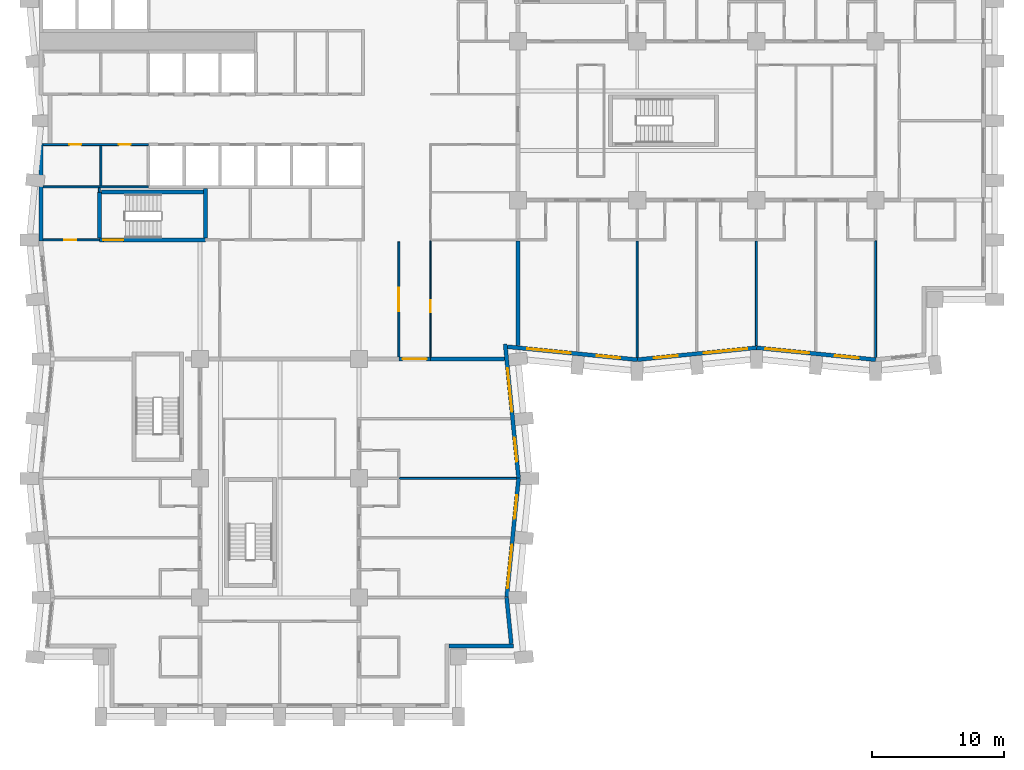
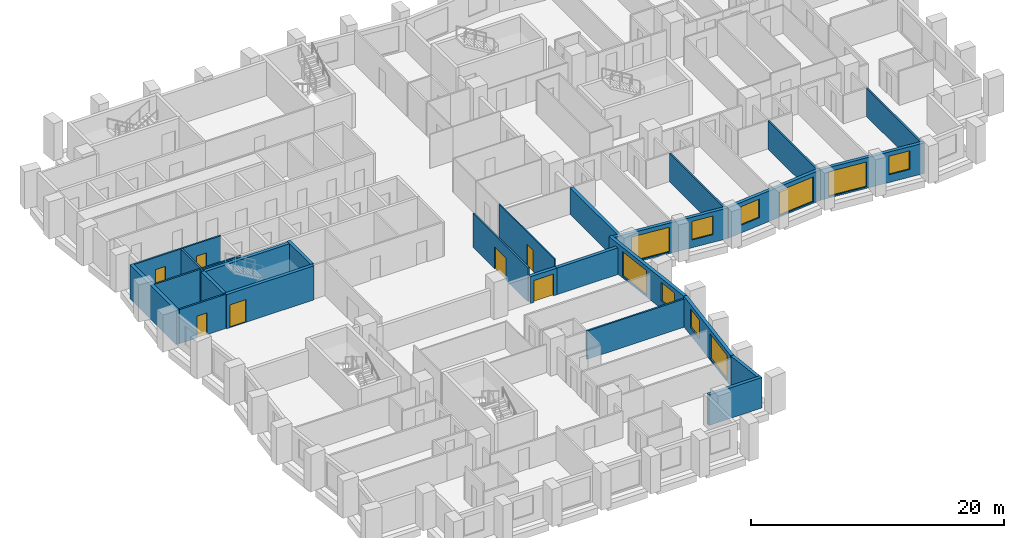
# One storey, part 5 of 13: 26 walls, 10 windows, 7 doors, 17 openings.
"""IFC4 building model written with IfcOpenShell, lengths in metres."""

from ifc_helpers import new_model, si_unit, direction, frame, frame_2d, origin, place, context, subcontext, project, spatial, rectangle, extrude, material, layer, layer_set, type_object, element, fill, save


model = new_model("IFC4")

# Units and contexts
model_context = context("Model", 3, precision=1e-05, world=origin(), true_north=direction((0.0, 1.0)))
body_context = subcontext(model_context, "Body", "Model", "MODEL_VIEW")
ifc_project = project(units=[si_unit("LENGTHUNIT", "METRE"), si_unit("AREAUNIT", "SQUARE_METRE"), si_unit("VOLUMEUNIT", "CUBIC_METRE"), si_unit("PLANEANGLEUNIT", "RADIAN"), si_unit("MASSUNIT", "GRAM", prefix="KILO")], contexts=[model_context])

# Site, building, storey
site_placement = place(None, origin())
site = spatial("IfcSite", under=ifc_project, at=site_placement, CompositionType="ELEMENT")
building_placement = place(site_placement, origin())
building = spatial("IfcBuilding", under=site, at=building_placement, Name="Brondeck Convention Tower", CompositionType="ELEMENT")
storey_placement = place(building_placement, frame((0.0, 0.0, 44.699951171875)))
storey = spatial("IfcBuildingStorey", under=building, at=storey_placement, Name="L08", CompositionType="ELEMENT", Elevation=44.699951171875)

# Wall, opening, door
ifc_material_1 = material(Name="Concrete compartment wall C30/37", Category="concrete")
ifc_layer_1 = layer(ifc_material_1, 0.300048828125)
ifc_layer_set_1 = layer_set([ifc_layer_1], Name="Compartment wall 300")
wall_type_1 = type_object("IfcWallType", Name="Compartment wall 300", PredefinedType="PARTITIONING", material=ifc_layer_set_1)
wall_1_placement = place(storey_placement, frame((29.39990234375, 27.0, 0.0), z_axis=(0.0, 0.0, 1.0), x_axis=(-1.0, 0.0, 0.0)))
wall_1 = element("IfcWall", 1, at=wall_1_placement, inside=storey, type_object=wall_type_1, Name="FLR-L08-W056", PredefinedType="PARTITIONING", context=body_context, shape_type="SweptSolid", body=[
    extrude(rectangle(XDim=2.39990234375, YDim=0.300048828125, at=frame_2d((1.199951171875, 0.0))), origin(), (0.0, 0.0, 1.0), 2.580078125),
])
opening_1_placement = place(wall_1_placement, frame((0.300048828125, 0.0, 0.0)))
opening_1 = element("IfcOpeningElement", 2, at=opening_1_placement, cuts=wall_1, Name="Opening H1-055", PredefinedType="OPENING", context=body_context, shape_type="SweptSolid", body=[
    extrude(rectangle(XDim=1.800048828125, YDim=2.10009765625, at=frame_2d((0.89990234375, 1.050048828125))), frame((0.0, 0.159912109375, 0.0), z_axis=(0.0, -1.0, 0.0), x_axis=(1.0, 0.0, 0.0)), (0.0, 0.0, 1.0), 0.320068359375),
])
ifc_material_2 = material(Name="Steel fire door pair", Category="steel")
door_type_1 = type_object("IfcDoorType", Name="Fire door pair 1800", OperationType="DOUBLE_DOOR_SINGLE_SWING", PredefinedType="DOOR", material=ifc_material_2)
door_1_placement = place(opening_1_placement, origin())
door_1 = element("IfcDoor", 3, at=door_1_placement, inside=storey, type_object=door_type_1, Name="Door H1-055", OperationType="DOUBLE_DOOR_SINGLE_SWING", OverallHeight=2.10009765625, OverallWidth=1.800048828125, PredefinedType="DOOR", context=body_context, shape_type="SweptSolid", body=[
    extrude(rectangle(XDim=1.800048828125, YDim=2.10009765625, at=frame_2d((0.89990234375, 1.050048828125))), frame((0.0, 0.02490234375, 0.0), z_axis=(0.0, -1.0, 0.0), x_axis=(1.0, 0.0, 0.0)), (0.0, 0.0, 1.0), 0.050048828125),
])
fill(opening_1, door_1)

# Walls
wall_2_placement = place(storey_placement, frame((34.97509765625, 27.0, 0.0), z_axis=(0.0, 0.0, 1.0), x_axis=(-1.0, 0.0, 0.0)))
element("IfcWall", 4, at=wall_2_placement, inside=storey, type_object=wall_type_1, Name="FLR-L08-W057", PredefinedType="PARTITIONING", context=body_context, shape_type="SweptSolid", body=[
    extrude(rectangle(XDim=5.5751953125, YDim=0.300048828125, at=frame_2d((2.78759765625, 0.0))), origin(), (0.0, 0.0, 1.0), 2.580078125),
])
wall_3_placement = place(storey_placement, frame((36.0, 35.925048828125, 0.0), z_axis=(0.0, 0.0, 1.0), x_axis=(0.0, -1.0, 0.0)))
element("IfcWall", 5, at=wall_3_placement, inside=storey, type_object=wall_type_1, Name="FLR-L08-W060", PredefinedType="PARTITIONING", context=body_context, shape_type="SweptSolid", body=[
    extrude(rectangle(XDim=7.900146484375, YDim=0.300048828125, at=frame_2d((3.9501953125, 0.0))), origin(), (0.0, 0.0, 1.0), 2.580078125),
])
ifc_material_3 = material(Name="Concrete C80/95", Category="concrete")
ifc_layer_2 = layer(ifc_material_3, 0.300048828125)
ifc_layer_set_2 = layer_set([ifc_layer_2], Name="Core outer wall 300 Concrete C80/95")
wall_type_2 = type_object("IfcWallType", Name="Core outer wall 300 Concrete C80/95", PredefinedType="SHEAR", material=ifc_layer_set_2)
wall_4_placement = place(storey_placement, frame((0.0, 35.925048828125, 0.0), z_axis=(0.0, 0.0, 1.0), x_axis=(0.0, 1.0, 0.0)))
element("IfcWall", 6, at=wall_4_placement, inside=storey, type_object=wall_type_2, Name="L08 core wall", PredefinedType="SHEAR", context=body_context, shape_type="SweptSolid", body=[
    extrude(rectangle(XDim=7.349853515625, YDim=0.300048828125, at=frame_2d((3.6748046875, 0.0))), origin(), (0.0, 0.0, 1.0), 3.300048828125),
])

# Wall, opening, door
ifc_material_4 = material(Name="Fire-rated gypsum board partition")
ifc_layer_3 = layer(ifc_material_4, 0.14990234375)
ifc_layer_set_3 = layer_set([ifc_layer_3], Name="Core partition 150 EI 60")
wall_type_3 = type_object("IfcWallType", Name="Core partition 150 EI 60", PredefinedType="PARTITIONING", material=ifc_layer_set_3)
wall_5_placement = place(storey_placement, frame((0.14990234375, 36.0, 0.0), z_axis=(0.0, 0.0, 1.0), x_axis=(1.0, 0.0, 0.0)))
wall_5 = element("IfcWall", 7, at=wall_5_placement, inside=storey, type_object=wall_type_3, Name="L08 core wall", PredefinedType="PARTITIONING", context=body_context, shape_type="SweptSolid", body=[
    extrude(rectangle(XDim=4.25, YDim=0.14990234375, at=frame_2d((2.125, 0.0))), origin(), (0.0, 0.0, 1.0), 3.300048828125),
])
opening_2_placement = place(wall_5_placement, frame((1.60009765625, 0.0, 0.0)))
opening_2 = element("IfcOpeningElement", 8, at=opening_2_placement, cuts=wall_5, Name="Opening C08-06", PredefinedType="OPENING", context=body_context, shape_type="SweptSolid", body=[
    extrude(rectangle(XDim=0.89990234375, YDim=2.10009765625, at=frame_2d((0.449951171875, 1.050048828125))), frame((0.0, 0.0849609375, 0.0), z_axis=(0.0, -1.0, 0.0), x_axis=(1.0, 0.0, 0.0)), (0.0, 0.0, 1.0), 0.169921875),
])
ifc_material_5 = material(Name="Steel fire door", Category="steel")
door_type_2 = type_object("IfcDoorType", Name="Room door 900x2100 EI 60", OperationType="NOTDEFINED", PredefinedType="DOOR", material=ifc_material_5)
door_2_placement = place(opening_2_placement, origin())
door_2 = element("IfcDoor", 9, at=door_2_placement, inside=storey, type_object=door_type_2, Name="L08 Room door FRW-1", OperationType="SINGLE_SWING_LEFT", OverallHeight=2.10009765625, OverallWidth=0.89990234375, PredefinedType="DOOR", context=body_context, shape_type="SweptSolid", body=[
    extrude(rectangle(XDim=0.89990234375, YDim=2.10009765625, at=frame_2d((0.449951171875, 1.050048828125))), frame((0.0, 0.02490234375, 0.0), z_axis=(0.0, -1.0, 0.0), x_axis=(1.0, 0.0, 0.0)), (0.0, 0.0, 1.0), 0.050048828125),
])
fill(opening_2, door_2)

# Wall
wall_6_placement = place(storey_placement, frame((0.14990234375, 40.0, 0.0), z_axis=(0.0, 0.0, 1.0), x_axis=(1.0, 0.0, 0.0)))
element("IfcWall", 10, at=wall_6_placement, inside=storey, type_object=wall_type_3, Name="L08 core wall", PredefinedType="PARTITIONING", context=body_context, shape_type="SweptSolid", body=[
    extrude(rectangle(XDim=7.9501953125, YDim=0.14990234375, at=frame_2d((3.97509765625, 0.0))), origin(), (0.0, 0.0, 1.0), 3.300048828125),
])

# Wall, openings, doors
wall_7_placement = place(storey_placement, frame((0.14990234375, 43.199951171875, 0.0), z_axis=(0.0, 0.0, 1.0), x_axis=(1.0, 0.0, 0.0)))
wall_7 = element("IfcWall", 11, at=wall_7_placement, inside=storey, type_object=wall_type_3, Name="L08 core wall", PredefinedType="PARTITIONING", context=body_context, shape_type="SweptSolid", body=[
    extrude(rectangle(XDim=7.9501953125, YDim=0.14990234375, at=frame_2d((3.97509765625, 0.0))), origin(), (0.0, 0.0, 1.0), 3.300048828125),
])
opening_3_placement = place(wall_7_placement, frame((1.97509765625, 0.0, 0.0)))
opening_3 = element("IfcOpeningElement", 12, at=opening_3_placement, cuts=wall_7, Name="Opening C08-11", PredefinedType="OPENING", context=body_context, shape_type="SweptSolid", body=[
    extrude(rectangle(XDim=0.89990234375, YDim=2.10009765625, at=frame_2d((0.449951171875, 1.050048828125))), frame((0.0, 0.0849609375, 0.0), z_axis=(0.0, -1.0, 0.0), x_axis=(1.0, 0.0, 0.0)), (0.0, 0.0, 1.0), 0.169921875),
])
opening_4_placement = place(wall_7_placement, frame((5.699951171875, 0.0, 0.0)))
opening_4 = element("IfcOpeningElement", 13, at=opening_4_placement, cuts=wall_7, Name="Opening C08-12", PredefinedType="OPENING", context=body_context, shape_type="SweptSolid", body=[
    extrude(rectangle(XDim=0.89990234375, YDim=2.10009765625, at=frame_2d((0.449951171875, 1.050048828125))), frame((0.0, 0.0849609375, 0.0), z_axis=(0.0, -1.0, 0.0), x_axis=(1.0, 0.0, 0.0)), (0.0, 0.0, 1.0), 0.169921875),
])
door_3_placement = place(opening_3_placement, origin())
door_3 = element("IfcDoor", 14, at=door_3_placement, inside=storey, type_object=door_type_2, Name="L08 Room door FZ-S-0-1", OperationType="SINGLE_SWING_LEFT", OverallHeight=2.10009765625, OverallWidth=0.89990234375, PredefinedType="DOOR", context=body_context, shape_type="SweptSolid", body=[
    extrude(rectangle(XDim=0.89990234375, YDim=2.10009765625, at=frame_2d((0.449951171875, 1.050048828125))), frame((0.0, 0.02490234375, 0.0), z_axis=(0.0, -1.0, 0.0), x_axis=(1.0, 0.0, 0.0)), (0.0, 0.0, 1.0), 0.050048828125),
])
fill(opening_3, door_3)
door_4_placement = place(opening_4_placement, origin())
door_4 = element("IfcDoor", 15, at=door_4_placement, inside=storey, type_object=door_type_2, Name="L08 Room door FZ-S-0-2", OperationType="SINGLE_SWING_RIGHT", OverallHeight=2.10009765625, OverallWidth=0.89990234375, PredefinedType="DOOR", context=body_context, shape_type="SweptSolid", body=[
    extrude(rectangle(XDim=0.89990234375, YDim=2.10009765625, at=frame_2d((0.449951171875, 1.050048828125))), frame((0.0, 0.02490234375, 0.0), z_axis=(0.0, -1.0, 0.0), x_axis=(1.0, 0.0, 0.0)), (0.0, 0.0, 1.0), 0.050048828125),
])
fill(opening_4, door_4)

# Walls
wall_8_placement = place(storey_placement, frame((4.39990234375, 39.60009765625, 0.0), z_axis=(0.0, 0.0, 1.0), x_axis=(0.0, 1.0, 0.0)))
element("IfcWall", 16, at=wall_8_placement, inside=storey, type_object=wall_type_3, Name="L08 core wall", PredefinedType="PARTITIONING", context=body_context, shape_type="SweptSolid", body=[
    extrude(rectangle(XDim=0.324951171875, YDim=0.14990234375, at=frame_2d((0.16259765625, 0.0))), origin(), (0.0, 0.0, 1.0), 3.300048828125),
])
wall_9_placement = place(storey_placement, frame((4.5, 40.074951171875, 0.0), z_axis=(0.0, 0.0, 1.0), x_axis=(0.0, 1.0, 0.0)))
element("IfcWall", 17, at=wall_9_placement, inside=storey, type_object=wall_type_3, Name="L08 core wall", PredefinedType="PARTITIONING", context=body_context, shape_type="SweptSolid", body=[
    extrude(rectangle(XDim=3.050048828125, YDim=0.14990234375, at=frame_2d((1.52490234375, 0.0))), origin(), (0.0, 0.0, 1.0), 3.300048828125),
])
ifc_material_6 = material(Name="Precast concrete C50/60 bronze finish", Category="concrete")
ifc_layer_4 = layer(ifc_material_6, 0.070068359375, Name="Bronze precast facing")
ifc_material_7 = material(Name="Mineral wool")
ifc_layer_5 = layer(ifc_material_7, 0.159912109375, Name="Insulation")
ifc_material_8 = material(Name="Concrete C35/45", Category="concrete")
ifc_layer_6 = layer(ifc_material_8, 0.070068359375, Name="Backing")
ifc_layer_set_4 = layer_set([ifc_layer_4, ifc_layer_5, ifc_layer_6], Name="External infill wall, precast concrete C50/60 bronze facing")
wall_type_4 = type_object("IfcWallType", Name="External infill wall, precast concrete C50/60 bronze facing", PredefinedType="SOLIDWALL", material=ifc_layer_set_4)
wall_10_placement = place(storey_placement, frame((35.676513671875, 5.35009765625, 0.0), z_axis=(0.0, 0.0, 1.0), x_axis=(-1.0, 0.0, 0.0)))
element("IfcWall", 18, at=wall_10_placement, inside=storey, type_object=wall_type_4, Name="ENV-EW-L08-P0-NC-SEB0-02", PredefinedType="SOLIDWALL", context=body_context, shape_type="SweptSolid", body=[
    extrude(rectangle(XDim=4.87646484375, YDim=0.300048828125, at=frame_2d((2.438232421875, 0.0))), origin(), (0.0, 0.0, 1.0), 2.949951171875),
])
wall_11_placement = place(storey_placement, frame((35.144287109375, 9.014892578125, 0.0), z_axis=(0.0, 0.0, 1.0), x_axis=(0.099462600847, -0.995041301169, 0.0)))
element("IfcWall", 19, at=wall_11_placement, inside=storey, type_object=wall_type_4, Name="ENV-EW-L08-P0-B-E-04", PredefinedType="SOLIDWALL", context=body_context, shape_type="SweptSolid", body=[
    extrude(rectangle(XDim=3.52734375, YDim=0.300048828125, at=frame_2d((1.763671875, 0.0))), origin(), (0.0, 0.0, 1.0), 2.949951171875),
])

# Wall, openings, windows
wall_12_placement = place(storey_placement, frame((36.04736328125, 18.014892578125, 0.0), z_axis=(0.0, 0.0, 1.0), x_axis=(-0.099522457379, -0.995035316196, 0.0)))
wall_12 = element("IfcWall", 20, at=wall_12_placement, inside=storey, type_object=wall_type_4, Name="ENV-EW-L08-P0-B-E-03", PredefinedType="SOLIDWALL", context=body_context, shape_type="SweptSolid", body=[
    extrude(rectangle(XDim=9.030029296875, YDim=0.300048828125, at=frame_2d((4.51513671875, 0.0))), origin(), (0.0, 0.0, 1.0), 2.949951171875),
])
opening_5_placement = place(wall_12_placement, frame((1.291259765625, 0.0, 0.75)))
opening_5 = element("IfcOpeningElement", 21, at=opening_5_placement, cuts=wall_12, Name="Opening W10", PredefinedType="OPENING", context=body_context, shape_type="SweptSolid", body=[
    extrude(rectangle(XDim=1.800048828125, YDim=1.800048828125, at=frame_2d((0.89990234375, 0.89990234375))), frame((0.0, 0.159912109375, 0.0), z_axis=(0.0, -1.0, 0.0), x_axis=(1.0, 0.0, 0.0)), (0.0, 0.0, 1.0), 0.320068359375),
])
opening_6_placement = place(wall_12_placement, frame((5.063720703125, 0.0, 0.14990234375)))
opening_6 = element("IfcOpeningElement", 22, at=opening_6_placement, cuts=wall_12, Name="Opening W9", PredefinedType="OPENING", context=body_context, shape_type="SweptSolid", body=[
    extrude(rectangle(XDim=3.300048828125, YDim=2.39990234375, at=frame_2d((1.64990234375, 1.199951171875))), frame((0.0, 0.159912109375, 0.0), z_axis=(0.0, -1.0, 0.0), x_axis=(1.0, 0.0, 0.0)), (0.0, 0.0, 1.0), 0.320068359375),
])
ifc_material_9 = material(Name="Bronze tinted double glazing", Category="glass")
window_type_1 = type_object("IfcWindowType", Name="Glazed flute window, bronze tinted", PartitioningType="SINGLE_PANEL", PredefinedType="WINDOW", material=ifc_material_9)
window_1_placement = place(opening_6_placement, origin())
window_1 = element("IfcWindow", 23, at=window_1_placement, inside=storey, type_object=window_type_1, Name="ENV-WN-L08-P0-B-E-03", OverallHeight=2.39990234375, OverallWidth=3.300048828125, PartitioningType="SINGLE_PANEL", PredefinedType="WINDOW", context=body_context, shape_type="SweptSolid", body=[
    extrude(rectangle(XDim=3.300048828125, YDim=2.39990234375, at=frame_2d((1.64990234375, 1.199951171875))), frame((0.0, 0.030029296875, 0.0), z_axis=(0.0, -1.0, 0.0), x_axis=(1.0, 0.0, 0.0)), (0.0, 0.0, 1.0), 0.06005859375),
])
fill(opening_6, window_1)
window_type_2 = type_object("IfcWindowType", Name="Punched window, bronze tinted", PartitioningType="SINGLE_PANEL", PredefinedType="WINDOW", material=ifc_material_9)
window_2_placement = place(opening_5_placement, origin())
window_2 = element("IfcWindow", 24, at=window_2_placement, inside=storey, type_object=window_type_2, Name="ENV-WN-L08-P0-B-E-02", OverallHeight=1.800048828125, OverallWidth=1.800048828125, PartitioningType="SINGLE_PANEL", PredefinedType="WINDOW", context=body_context, shape_type="SweptSolid", body=[
    extrude(rectangle(XDim=1.800048828125, YDim=1.800048828125, at=frame_2d((0.89990234375, 0.89990234375))), frame((0.0, 0.030029296875, 0.0), z_axis=(0.0, -1.0, 0.0), x_axis=(1.0, 0.0, 0.0)), (0.0, 0.0, 1.0), 0.06005859375),
])
fill(opening_5, window_2)

wall_13_placement = place(storey_placement, frame((35.03271484375, 28.131591796875, 0.0), z_axis=(0.0, 0.0, 1.0), x_axis=(0.099487051997, -0.995038856771, 0.0)))
wall_13 = element("IfcWall", 25, at=wall_13_placement, inside=storey, type_object=wall_type_4, Name="ENV-EW-L08-P0-B-E-01", PredefinedType="SOLIDWALL", context=body_context, shape_type="SweptSolid", body=[
    extrude(rectangle(XDim=10.152099609375, YDim=0.300048828125, at=frame_2d((5.076171875, 0.0))), origin(), (0.0, 0.0, 1.0), 2.949951171875),
])
opening_7_placement = place(wall_13_placement, frame((1.83349609375, 0.0, 0.14990234375)))
opening_7 = element("IfcOpeningElement", 26, at=opening_7_placement, cuts=wall_13, Name="Opening W9", PredefinedType="OPENING", context=body_context, shape_type="SweptSolid", body=[
    extrude(rectangle(XDim=3.300048828125, YDim=2.39990234375, at=frame_2d((1.64990234375, 1.199951171875))), frame((0.0, 0.159912109375, 0.0), z_axis=(0.0, -1.0, 0.0), x_axis=(1.0, 0.0, 0.0)), (0.0, 0.0, 1.0), 0.320068359375),
])
opening_8_placement = place(wall_13_placement, frame((7.10595703125, 0.0, 0.75)))
opening_8 = element("IfcOpeningElement", 27, at=opening_8_placement, cuts=wall_13, Name="Opening W10", PredefinedType="OPENING", context=body_context, shape_type="SweptSolid", body=[
    extrude(rectangle(XDim=1.800048828125, YDim=1.800048828125, at=frame_2d((0.89990234375, 0.89990234375))), frame((0.0, 0.159912109375, 0.0), z_axis=(0.0, -1.0, 0.0), x_axis=(1.0, 0.0, 0.0)), (0.0, 0.0, 1.0), 0.320068359375),
])
window_3_placement = place(opening_7_placement, origin())
window_3 = element("IfcWindow", 28, at=window_3_placement, inside=storey, type_object=window_type_1, Name="ENV-WN-L08-P0-B-E-00", OverallHeight=2.39990234375, OverallWidth=3.300048828125, PartitioningType="SINGLE_PANEL", PredefinedType="WINDOW", context=body_context, shape_type="SweptSolid", body=[
    extrude(rectangle(XDim=3.300048828125, YDim=2.39990234375, at=frame_2d((1.64990234375, 1.199951171875))), frame((0.0, 0.030029296875, 0.0), z_axis=(0.0, -1.0, 0.0), x_axis=(1.0, 0.0, 0.0)), (0.0, 0.0, 1.0), 0.06005859375),
])
fill(opening_7, window_3)
window_4_placement = place(opening_8_placement, origin())
window_4 = element("IfcWindow", 29, at=window_4_placement, inside=storey, type_object=window_type_2, Name="ENV-WN-L08-P0-B-E-01", OverallHeight=1.800048828125, OverallWidth=1.800048828125, PartitioningType="SINGLE_PANEL", PredefinedType="WINDOW", context=body_context, shape_type="SweptSolid", body=[
    extrude(rectangle(XDim=1.800048828125, YDim=1.800048828125, at=frame_2d((0.89990234375, 0.89990234375))), frame((0.0, 0.030029296875, 0.0), z_axis=(0.0, -1.0, 0.0), x_axis=(1.0, 0.0, 0.0)), (0.0, 0.0, 1.0), 0.06005859375),
])
fill(opening_8, window_4)

wall_14_placement = place(storey_placement, frame((45.014892578125, 26.95263671875, 0.0), z_axis=(0.0, 0.0, 1.0), x_axis=(-0.995036699177, 0.099508629231, 0.0)))
wall_14 = element("IfcWall", 30, at=wall_14_placement, inside=storey, type_object=wall_type_4, Name="ENV-EW-L08-P0-A-S-00", PredefinedType="SOLIDWALL", context=body_context, shape_type="SweptSolid", body=[
    extrude(rectangle(XDim=9.845703125, YDim=0.300048828125, at=frame_2d((4.9228515625, 0.0))), origin(), (0.0, 0.0, 1.0), 2.949951171875),
])
opening_9_placement = place(wall_14_placement, frame((1.291259765625, 0.0, 0.75)))
opening_9 = element("IfcOpeningElement", 31, at=opening_9_placement, cuts=wall_14, Name="Opening W10", PredefinedType="OPENING", context=body_context, shape_type="SweptSolid", body=[
    extrude(rectangle(XDim=1.800048828125, YDim=1.800048828125, at=frame_2d((0.89990234375, 0.89990234375))), frame((0.0, 0.159912109375, 0.0), z_axis=(0.0, -1.0, 0.0), x_axis=(1.0, 0.0, 0.0)), (0.0, 0.0, 1.0), 0.320068359375),
])
opening_10_placement = place(wall_14_placement, frame((5.063720703125, 0.0, 0.14990234375)))
opening_10 = element("IfcOpeningElement", 32, at=opening_10_placement, cuts=wall_14, Name="Opening W9", PredefinedType="OPENING", context=body_context, shape_type="SweptSolid", body=[
    extrude(rectangle(XDim=3.300048828125, YDim=2.39990234375, at=frame_2d((1.64990234375, 1.199951171875))), frame((0.0, 0.159912109375, 0.0), z_axis=(0.0, -1.0, 0.0), x_axis=(1.0, 0.0, 0.0)), (0.0, 0.0, 1.0), 0.320068359375),
])
window_5_placement = place(opening_10_placement, origin())
window_5 = element("IfcWindow", 33, at=window_5_placement, inside=storey, type_object=window_type_1, Name="ENV-WN-L08-P0-A-S-00", OverallHeight=2.39990234375, OverallWidth=3.300048828125, PartitioningType="SINGLE_PANEL", PredefinedType="WINDOW", context=body_context, shape_type="SweptSolid", body=[
    extrude(rectangle(XDim=3.300048828125, YDim=2.39990234375, at=frame_2d((1.64990234375, 1.199951171875))), frame((0.0, 0.030029296875, 0.0), z_axis=(0.0, -1.0, 0.0), x_axis=(1.0, 0.0, 0.0)), (0.0, 0.0, 1.0), 0.06005859375),
])
fill(opening_10, window_5)
window_6_placement = place(opening_9_placement, origin())
window_6 = element("IfcWindow", 34, at=window_6_placement, inside=storey, type_object=window_type_2, Name="ENV-WN-L08-P0-A-S-01", OverallHeight=1.800048828125, OverallWidth=1.800048828125, PartitioningType="SINGLE_PANEL", PredefinedType="WINDOW", context=body_context, shape_type="SweptSolid", body=[
    extrude(rectangle(XDim=1.800048828125, YDim=1.800048828125, at=frame_2d((0.89990234375, 0.89990234375))), frame((0.0, 0.030029296875, 0.0), z_axis=(0.0, -1.0, 0.0), x_axis=(1.0, 0.0, 0.0)), (0.0, 0.0, 1.0), 0.06005859375),
])
fill(opening_9, window_6)

wall_15_placement = place(storey_placement, frame((54.014892578125, 27.855712890625, 0.0), z_axis=(0.0, 0.0, 1.0), x_axis=(-0.995037993253, -0.099495688264, 0.0)))
wall_15 = element("IfcWall", 35, at=wall_15_placement, inside=storey, type_object=wall_type_4, Name="ENV-EW-L08-P0-A-S-02", PredefinedType="SOLIDWALL", context=body_context, shape_type="SweptSolid", body=[
    extrude(rectangle(XDim=9.030029296875, YDim=0.300048828125, at=frame_2d((4.51513671875, 0.0))), origin(), (0.0, 0.0, 1.0), 2.949951171875),
])
opening_11_placement = place(wall_15_placement, frame((0.711181640625, 0.0, 0.14990234375)))
opening_11 = element("IfcOpeningElement", 36, at=opening_11_placement, cuts=wall_15, Name="Opening W9", PredefinedType="OPENING", context=body_context, shape_type="SweptSolid", body=[
    extrude(rectangle(XDim=3.300048828125, YDim=2.39990234375, at=frame_2d((1.64990234375, 1.199951171875))), frame((0.0, 0.159912109375, 0.0), z_axis=(0.0, -1.0, 0.0), x_axis=(1.0, 0.0, 0.0)), (0.0, 0.0, 1.0), 0.320068359375),
])
opening_12_placement = place(wall_15_placement, frame((5.983642578125, 0.0, 0.75)))
opening_12 = element("IfcOpeningElement", 37, at=opening_12_placement, cuts=wall_15, Name="Opening W10", PredefinedType="OPENING", context=body_context, shape_type="SweptSolid", body=[
    extrude(rectangle(XDim=1.800048828125, YDim=1.800048828125, at=frame_2d((0.89990234375, 0.89990234375))), frame((0.0, 0.159912109375, 0.0), z_axis=(0.0, -1.0, 0.0), x_axis=(1.0, 0.0, 0.0)), (0.0, 0.0, 1.0), 0.320068359375),
])
window_7_placement = place(opening_11_placement, origin())
window_7 = element("IfcWindow", 38, at=window_7_placement, inside=storey, type_object=window_type_1, Name="ENV-WN-L08-P0-A-S-03", OverallHeight=2.39990234375, OverallWidth=3.300048828125, PartitioningType="SINGLE_PANEL", PredefinedType="WINDOW", context=body_context, shape_type="SweptSolid", body=[
    extrude(rectangle(XDim=3.300048828125, YDim=2.39990234375, at=frame_2d((1.64990234375, 1.199951171875))), frame((0.0, 0.030029296875, 0.0), z_axis=(0.0, -1.0, 0.0), x_axis=(1.0, 0.0, 0.0)), (0.0, 0.0, 1.0), 0.06005859375),
])
fill(opening_11, window_7)
window_8_placement = place(opening_12_placement, origin())
window_8 = element("IfcWindow", 39, at=window_8_placement, inside=storey, type_object=window_type_2, Name="ENV-WN-L08-P0-A-S-02", OverallHeight=1.800048828125, OverallWidth=1.800048828125, PartitioningType="SINGLE_PANEL", PredefinedType="WINDOW", context=body_context, shape_type="SweptSolid", body=[
    extrude(rectangle(XDim=1.800048828125, YDim=1.800048828125, at=frame_2d((0.89990234375, 0.89990234375))), frame((0.0, 0.030029296875, 0.0), z_axis=(0.0, -1.0, 0.0), x_axis=(1.0, 0.0, 0.0)), (0.0, 0.0, 1.0), 0.06005859375),
])
fill(opening_12, window_8)

wall_16_placement = place(storey_placement, frame((63.014892578125, 26.95263671875, 0.0), z_axis=(0.0, 0.0, 1.0), x_axis=(-0.995035316196, 0.099522457379, 0.0)))
wall_16 = element("IfcWall", 40, at=wall_16_placement, inside=storey, type_object=wall_type_4, Name="ENV-EW-L08-P0-A-S-04", PredefinedType="SOLIDWALL", context=body_context, shape_type="SweptSolid", body=[
    extrude(rectangle(XDim=9.030029296875, YDim=0.300048828125, at=frame_2d((4.51513671875, 0.0))), origin(), (0.0, 0.0, 1.0), 2.949951171875),
])
opening_13_placement = place(wall_16_placement, frame((1.291259765625, 0.0, 0.75)))
opening_13 = element("IfcOpeningElement", 41, at=opening_13_placement, cuts=wall_16, Name="Opening W10", PredefinedType="OPENING", context=body_context, shape_type="SweptSolid", body=[
    extrude(rectangle(XDim=1.800048828125, YDim=1.800048828125, at=frame_2d((0.89990234375, 0.89990234375))), frame((0.0, 0.159912109375, 0.0), z_axis=(0.0, -1.0, 0.0), x_axis=(1.0, 0.0, 0.0)), (0.0, 0.0, 1.0), 0.320068359375),
])
opening_14_placement = place(wall_16_placement, frame((5.063720703125, 0.0, 0.14990234375)))
opening_14 = element("IfcOpeningElement", 42, at=opening_14_placement, cuts=wall_16, Name="Opening W9", PredefinedType="OPENING", context=body_context, shape_type="SweptSolid", body=[
    extrude(rectangle(XDim=3.300048828125, YDim=2.39990234375, at=frame_2d((1.64990234375, 1.199951171875))), frame((0.0, 0.159912109375, 0.0), z_axis=(0.0, -1.0, 0.0), x_axis=(1.0, 0.0, 0.0)), (0.0, 0.0, 1.0), 0.320068359375),
])
window_9_placement = place(opening_14_placement, origin())
window_9 = element("IfcWindow", 43, at=window_9_placement, inside=storey, type_object=window_type_1, Name="ENV-WN-L08-P0-A-S-04", OverallHeight=2.39990234375, OverallWidth=3.300048828125, PartitioningType="SINGLE_PANEL", PredefinedType="WINDOW", context=body_context, shape_type="SweptSolid", body=[
    extrude(rectangle(XDim=3.300048828125, YDim=2.39990234375, at=frame_2d((1.64990234375, 1.199951171875))), frame((0.0, 0.030029296875, 0.0), z_axis=(0.0, -1.0, 0.0), x_axis=(1.0, 0.0, 0.0)), (0.0, 0.0, 1.0), 0.06005859375),
])
fill(opening_14, window_9)
window_10_placement = place(opening_13_placement, origin())
window_10 = element("IfcWindow", 44, at=window_10_placement, inside=storey, type_object=window_type_2, Name="ENV-WN-L08-P0-A-S-05", OverallHeight=1.800048828125, OverallWidth=1.800048828125, PartitioningType="SINGLE_PANEL", PredefinedType="WINDOW", context=body_context, shape_type="SweptSolid", body=[
    extrude(rectangle(XDim=1.800048828125, YDim=1.800048828125, at=frame_2d((0.89990234375, 0.89990234375))), frame((0.0, 0.030029296875, 0.0), z_axis=(0.0, -1.0, 0.0), x_axis=(1.0, 0.0, 0.0)), (0.0, 0.0, 1.0), 0.06005859375),
])
fill(opening_13, window_10)

# Wall
ifc_material_10 = material(Name="Double gypsum board acoustic wall")
ifc_layer_7 = layer(ifc_material_10, 0.14990234375)
ifc_layer_set_5 = layer_set([ifc_layer_7], Name="Guest room party wall 150")
wall_type_5 = type_object("IfcWallType", Name="Guest room party wall 150", PredefinedType="PARTITIONING", material=ifc_layer_set_5)
wall_17_placement = place(storey_placement, frame((35.875, 18.0, 0.0), z_axis=(0.0, 0.0, 1.0), x_axis=(-1.0, 0.0, 0.0)))
element("IfcWall", 45, at=wall_17_placement, inside=storey, type_object=wall_type_5, Name="FLR-L08-W040", PredefinedType="PARTITIONING", context=body_context, shape_type="SweptSolid", body=[
    extrude(rectangle(XDim=8.875, YDim=0.14990234375, at=frame_2d((4.4375, 0.0))), origin(), (0.0, 0.0, 1.0), 2.72998046875),
])

# Wall, opening, door
wall_18_placement = place(storey_placement, frame((27.0, 27.14990234375, 0.0), z_axis=(0.0, 0.0, 1.0), x_axis=(0.0, 1.0, 0.0)))
wall_18 = element("IfcWall", 46, at=wall_18_placement, inside=storey, type_object=wall_type_5, Name="FLR-L08-W058", PredefinedType="PARTITIONING", context=body_context, shape_type="SweptSolid", body=[
    extrude(rectangle(XDim=8.7001953125, YDim=0.14990234375, at=frame_2d((4.35009765625, 0.0))), origin(), (0.0, 0.0, 1.0), 3.280029296875),
])
opening_15_placement = place(wall_18_placement, frame((3.449951171875, 0.0, 0.0)))
opening_15 = element("IfcOpeningElement", 47, at=opening_15_placement, cuts=wall_18, Name="Opening H1-052", PredefinedType="OPENING", context=body_context, shape_type="SweptSolid", body=[
    extrude(rectangle(XDim=1.800048828125, YDim=2.10009765625, at=frame_2d((0.89990234375, 1.050048828125))), frame((0.0, 0.0849609375, 0.0), z_axis=(0.0, -1.0, 0.0), x_axis=(1.0, 0.0, 0.0)), (0.0, 0.0, 1.0), 0.169921875),
])
ifc_material_11 = material(Name="Glazed timber double door", Category="wood")
door_type_3 = type_object("IfcDoorType", Name="Double door 1800", OperationType="DOUBLE_DOOR_SINGLE_SWING", PredefinedType="DOOR", material=ifc_material_11)
door_5_placement = place(opening_15_placement, origin())
door_5 = element("IfcDoor", 48, at=door_5_placement, inside=storey, type_object=door_type_3, Name="Door H1-052", OperationType="DOUBLE_DOOR_SINGLE_SWING", OverallHeight=2.10009765625, OverallWidth=1.800048828125, PredefinedType="DOOR", context=body_context, shape_type="SweptSolid", body=[
    extrude(rectangle(XDim=1.800048828125, YDim=2.10009765625, at=frame_2d((0.89990234375, 1.050048828125))), frame((0.0, 0.02490234375, 0.0), z_axis=(0.0, -1.0, 0.0), x_axis=(1.0, 0.0, 0.0)), (0.0, 0.0, 1.0), 0.050048828125),
])
fill(opening_15, door_5)

# Walls
wall_19_placement = place(storey_placement, frame((45.0, 35.925048828125, 0.0), z_axis=(0.0, 0.0, 1.0), x_axis=(0.0, -1.0, 0.0)))
element("IfcWall", 49, at=wall_19_placement, inside=storey, type_object=wall_type_5, Name="FLR-L08-W061", PredefinedType="PARTITIONING", context=body_context, shape_type="SweptSolid", body=[
    extrude(rectangle(XDim=8.800048828125, YDim=0.14990234375, at=frame_2d((4.39990234375, 0.0))), origin(), (0.0, 0.0, 1.0), 2.72998046875),
])
wall_20_placement = place(storey_placement, frame((54.0, 35.925048828125, 0.0), z_axis=(0.0, 0.0, 1.0), x_axis=(0.0, -1.0, 0.0)))
element("IfcWall", 50, at=wall_20_placement, inside=storey, type_object=wall_type_5, Name="FLR-L08-W062", PredefinedType="PARTITIONING", context=body_context, shape_type="SweptSolid", body=[
    extrude(rectangle(XDim=7.900146484375, YDim=0.14990234375, at=frame_2d((3.9501953125, 0.0))), origin(), (0.0, 0.0, 1.0), 2.72998046875),
])
wall_21_placement = place(storey_placement, frame((63.0, 35.925048828125, 0.0), z_axis=(0.0, 0.0, 1.0), x_axis=(0.0, -1.0, 0.0)))
element("IfcWall", 51, at=wall_21_placement, inside=storey, type_object=wall_type_5, Name="FLR-L08-W063", PredefinedType="PARTITIONING", context=body_context, shape_type="SweptSolid", body=[
    extrude(rectangle(XDim=8.800048828125, YDim=0.14990234375, at=frame_2d((4.39990234375, 0.0))), origin(), (0.0, 0.0, 1.0), 2.72998046875),
])

# Wall, opening, door
ifc_material_12 = material(Name="Gypsum board partition on steel studs", Category="steel")
ifc_layer_8 = layer(ifc_material_12, 0.10009765625)
ifc_layer_set_6 = layer_set([ifc_layer_8], Name="Room partition 100")
wall_type_6 = type_object("IfcWallType", Name="Room partition 100", PredefinedType="PARTITIONING", material=ifc_layer_set_6)
wall_22_placement = place(storey_placement, frame((29.39990234375, 35.949951171875, 0.0), z_axis=(0.0, 0.0, 1.0), x_axis=(0.0, -1.0, 0.0)))
wall_22 = element("IfcWall", 52, at=wall_22_placement, inside=storey, type_object=wall_type_6, Name="FLR-L08-W064", PredefinedType="PARTITIONING", context=body_context, shape_type="SweptSolid", body=[
    extrude(rectangle(XDim=8.800048828125, YDim=0.10009765625, at=frame_2d((4.39990234375, 0.0))), origin(), (0.0, 0.0, 1.0), 3.280029296875),
])
opening_16_placement = place(wall_22_placement, frame((4.5, 0.0, 0.0)))
opening_16 = element("IfcOpeningElement", 53, at=opening_16_placement, cuts=wall_22, Name="Opening H1-051", PredefinedType="OPENING", context=body_context, shape_type="SweptSolid", body=[
    extrude(rectangle(XDim=0.89990234375, YDim=2.10009765625, at=frame_2d((0.449951171875, 1.050048828125))), frame((0.0, 0.06005859375, 0.0), z_axis=(0.0, -1.0, 0.0), x_axis=(1.0, 0.0, 0.0)), (0.0, 0.0, 1.0), 0.1201171875),
])
ifc_material_13 = material(Name="Solid timber door leaf", Category="wood")
door_type_4 = type_object("IfcDoorType", Name="Single door 900", OperationType="NOTDEFINED", PredefinedType="DOOR", material=ifc_material_13)
door_6_placement = place(opening_16_placement, origin())
door_6 = element("IfcDoor", 54, at=door_6_placement, inside=storey, type_object=door_type_4, Name="Door H1-051", OperationType="SINGLE_SWING_LEFT", OverallHeight=2.10009765625, OverallWidth=0.89990234375, PredefinedType="DOOR", context=body_context, shape_type="SweptSolid", body=[
    extrude(rectangle(XDim=0.89990234375, YDim=2.10009765625, at=frame_2d((0.449951171875, 1.050048828125))), frame((0.0, 0.02490234375, 0.0), z_axis=(0.0, -1.0, 0.0), x_axis=(1.0, 0.0, 0.0)), (0.0, 0.0, 1.0), 0.050048828125),
])
fill(opening_16, door_6)

ifc_layer_9 = layer(ifc_material_3, 0.300048828125)
ifc_layer_set_7 = layer_set([ifc_layer_9], Name="Stair enclosure wall 300 Concrete C80/95")
wall_type_7 = type_object("IfcWallType", Name="Stair enclosure wall 300 Concrete C80/95", PredefinedType="SHEAR", material=ifc_layer_set_7)
wall_23_placement = place(storey_placement, frame((4.39990234375, 36.0, 0.0), z_axis=(0.0, 0.0, 1.0), x_axis=(1.0, 0.0, 0.0)))
wall_23 = element("IfcWall", 55, at=wall_23_placement, inside=storey, type_object=wall_type_7, Name="L08 core wall", PredefinedType="SHEAR", context=body_context, shape_type="SweptSolid", body=[
    extrude(rectangle(XDim=8.0, YDim=0.300048828125, at=frame_2d((4.0, 0.0))), origin(), (0.0, 0.0, 1.0), 3.300048828125),
])
opening_17_placement = place(wall_23_placement, frame((0.300048828125, 0.0, 0.0)))
opening_17 = element("IfcOpeningElement", 56, at=opening_17_placement, cuts=wall_23, Name="Opening C08-14", PredefinedType="OPENING", context=body_context, shape_type="SweptSolid", body=[
    extrude(rectangle(XDim=1.5, YDim=2.199951171875, at=frame_2d((0.75, 1.10009765625))), frame((0.0, 0.159912109375, 0.0), z_axis=(0.0, -1.0, 0.0), x_axis=(1.0, 0.0, 0.0)), (0.0, 0.0, 1.0), 0.320068359375),
])
door_type_5 = type_object("IfcDoorType", Name="Stair door 1500x2200 EI 90", OperationType="NOTDEFINED", PredefinedType="DOOR", material=ifc_material_5)
door_7_placement = place(opening_17_placement, origin())
door_7 = element("IfcDoor", 57, at=door_7_placement, inside=storey, type_object=door_type_5, Name="L08 Stair door ST-1", OperationType="SINGLE_SWING_RIGHT", OverallHeight=2.199951171875, OverallWidth=1.5, PredefinedType="DOOR", context=body_context, shape_type="SweptSolid", body=[
    extrude(rectangle(XDim=1.5, YDim=2.199951171875, at=frame_2d((0.75, 1.10009765625))), frame((0.0, 0.02490234375, 0.0), z_axis=(0.0, -1.0, 0.0), x_axis=(1.0, 0.0, 0.0)), (0.0, 0.0, 1.0), 0.050048828125),
])
fill(opening_17, door_7)

# Walls
wall_24_placement = place(storey_placement, frame((4.550048828125, 39.60009765625, 0.0), z_axis=(0.0, 0.0, 1.0), x_axis=(1.0, 0.0, 0.0)))
element("IfcWall", 58, at=wall_24_placement, inside=storey, type_object=wall_type_7, Name="L08 core wall", PredefinedType="SHEAR", context=body_context, shape_type="SweptSolid", body=[
    extrude(rectangle(XDim=7.699951171875, YDim=0.300048828125, at=frame_2d((3.85009765625, 0.0))), origin(), (0.0, 0.0, 1.0), 3.300048828125),
])
wall_25_placement = place(storey_placement, frame((4.39990234375, 36.14990234375, 0.0), z_axis=(0.0, 0.0, 1.0), x_axis=(0.0, 1.0, 0.0)))
element("IfcWall", 59, at=wall_25_placement, inside=storey, type_object=wall_type_7, Name="L08 core wall", PredefinedType="SHEAR", context=body_context, shape_type="SweptSolid", body=[
    extrude(rectangle(XDim=3.4501953125, YDim=0.300048828125, at=frame_2d((1.72509765625, 0.0))), origin(), (0.0, 0.0, 1.0), 3.300048828125),
])
wall_26_placement = place(storey_placement, frame((12.39990234375, 36.14990234375, 0.0), z_axis=(0.0, 0.0, 1.0), x_axis=(0.0, 1.0, 0.0)))
element("IfcWall", 60, at=wall_26_placement, inside=storey, type_object=wall_type_7, Name="L08 core wall", PredefinedType="SHEAR", context=body_context, shape_type="SweptSolid", body=[
    extrude(rectangle(XDim=3.72509765625, YDim=0.300048828125, at=frame_2d((1.862548828125, 0.0))), origin(), (0.0, 0.0, 1.0), 3.300048828125),
])

save(model, "model.ifc")
